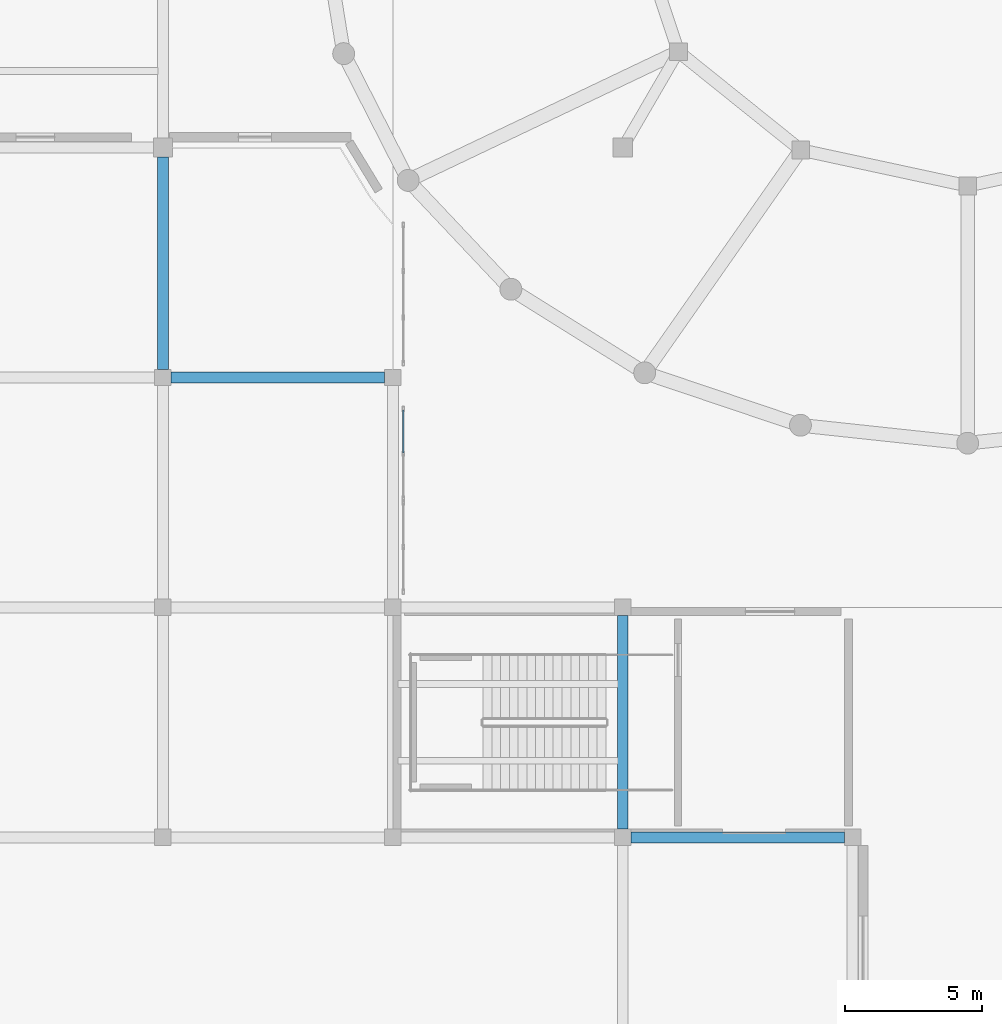
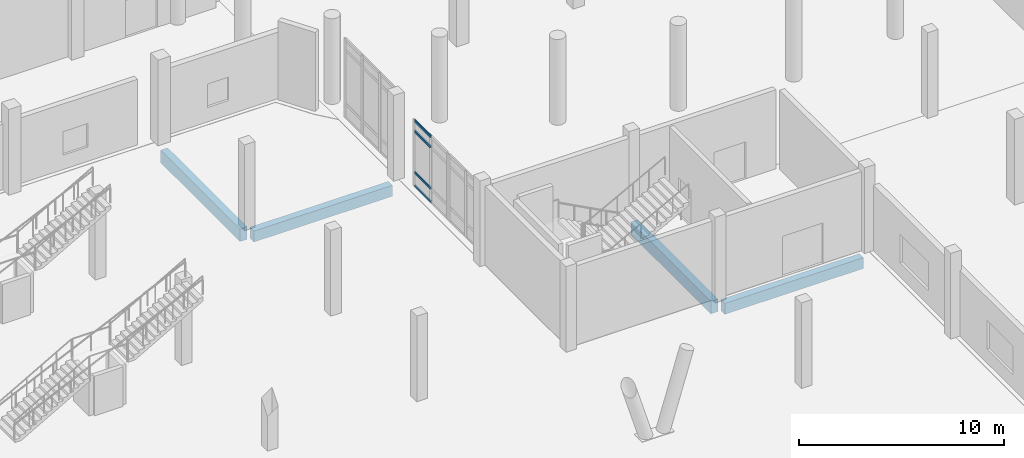
# One storey, part 4 of 64: 4 beams, 4 members, 1 element without a shape of its own.
"""IFC4 building model written with IfcOpenShell, lengths in metres."""

import ifcopenshell
import ifcopenshell.guid

model = None  # the IFC model being written
_history = None  # IfcOwnerHistory: only IFC2X3 demands one
_inside = {}  # id of a spatial element -> (the spatial element, [elements in it])
_under = {}  # id of a project, library or spatial element -> (it, [spatial elements below it])
_declared = {}  # id of a project -> (the project, [libraries it declares])
_typed = {}  # id of a type object -> (the type object, [elements of that type])
_made_of = {}  # id of a material, layer set ... -> (it, [elements and type objects made of it])


def new_model(schema):
    """Start an empty IFC model of exactly this schema.

    Asked for "IFC4X3", IfcOpenShell would pick the latest addendum, in which some entities
    have other attributes; the version numbers below select the first issue.
    IFC2X3 requires an IfcOwnerHistory on every rooted entity: one is made here for all.
    """
    global model, _history
    if schema == "IFC4X3":
        model = ifcopenshell.file(schema_version=(4, 3, 0, 0))
    else:
        model = ifcopenshell.file(schema=schema)
    _inside.clear()
    _under.clear()
    _declared.clear()
    _typed.clear()
    _made_of.clear()
    _history = None
    if model.schema == "IFC2X3":
        org = make("IfcOrganization", Name="unknown")
        user = make(
            "IfcPersonAndOrganization",
            ThePerson=make("IfcPerson", FamilyName="unknown"),
            TheOrganization=org,
        )
        app = make(
            "IfcApplication",
            ApplicationDeveloper=org,
            Version="unknown",
            ApplicationFullName="unknown",
            ApplicationIdentifier="unknown",
        )
        _history = make(
            "IfcOwnerHistory",
            OwningUser=user,
            OwningApplication=app,
            ChangeAction="ADDED",
            CreationDate=0,
        )
    return model


def make(cls, **values):
    """One entity of the class cls with the attributes given. An attribute that is None is left unset."""
    return model.create_entity(
        cls, **{name: value for name, value in values.items() if value is not None}
    )


def rooted(cls, **values):
    """An entity with a GlobalId (a new one), such as an element, a storey or a relation."""
    return make(cls, GlobalId=ifcopenshell.guid.new(), OwnerHistory=_history, **values)


def si_unit(unit_type, name, prefix=None):
    """IfcSIUnit, for example si_unit("LENGTHUNIT", "METRE", prefix="MILLI")."""
    return make("IfcSIUnit", UnitType=unit_type, Prefix=prefix, Name=name)


def derived_unit(unit_type, elements):
    """IfcDerivedUnit: a product of units, each with its exponent."""
    return make(
        "IfcDerivedUnit",
        Elements=[
            make("IfcDerivedUnitElement", Unit=unit, Exponent=power)
            for unit, power in elements
        ],
        UnitType=unit_type,
    )


def assignment(units):
    """IfcUnitAssignment: the units of a project."""
    return None if units is None else make("IfcUnitAssignment", Units=units)


def point(xyz):
    """IfcCartesianPoint."""
    return None if xyz is None else make("IfcCartesianPoint", Coordinates=xyz)


def direction(xyz):
    """IfcDirection."""
    return None if xyz is None else make("IfcDirection", DirectionRatios=xyz)


def frame(location, z_axis=None, x_axis=None):
    """IfcAxis2Placement3D, a coordinate frame: its origin and axes. An axis left out is left unset."""
    return make(
        "IfcAxis2Placement3D",
        Location=point(location),
        Axis=direction(z_axis),
        RefDirection=direction(x_axis),
    )


def frame_2d(location, x_axis=None):
    """IfcAxis2Placement2D, a coordinate frame in the plane: its origin and x axis."""
    return make(
        "IfcAxis2Placement2D", Location=point(location), RefDirection=direction(x_axis)
    )


def origin():
    """The frame at (0, 0, 0) with its axes left unset."""
    return frame((0.0, 0.0, 0.0))


def origin_2d():
    """The frame at (0, 0) in the plane with its x axis left unset."""
    return frame_2d((0.0, 0.0))


def place(relative_to, where):
    """IfcLocalPlacement: puts the frame where relative to a parent placement (None: the world)."""
    return make(
        "IfcLocalPlacement", PlacementRelTo=relative_to, RelativePlacement=where
    )


def context(
    kind, dimensions, precision=None, world=None, true_north=None, identifier=None
):
    """IfcGeometricRepresentationContext, for example the 3D "Model" context."""
    return make(
        "IfcGeometricRepresentationContext",
        ContextIdentifier=identifier,
        ContextType=kind,
        CoordinateSpaceDimension=dimensions,
        Precision=precision,
        WorldCoordinateSystem=world,
        TrueNorth=true_north,
    )


def subcontext(parent, identifier, kind, view, scale=None):
    """IfcGeometricRepresentationSubContext, for example "Body" below "Model"."""
    return make(
        "IfcGeometricRepresentationSubContext",
        ContextIdentifier=identifier,
        ContextType=kind,
        ParentContext=parent,
        TargetScale=scale,
        TargetView=view,
    )


def project(units=None, contexts=None):
    """IfcProject with its units and contexts."""
    return rooted(
        "IfcProject",
        Name="project",
        RepresentationContexts=contexts,
        UnitsInContext=assignment(units),
    )


def spatial(cls, under=None, at=None, **own):
    """A site, building, storey or space (cls), placed at a placement, below another one or the project."""
    s = rooted(cls, ObjectPlacement=at, **own)
    if under is not None:
        _under.setdefault(under.id(), (under, []))[1].append(s)
    return s


def profile(cls, at=None, kind="AREA", **sizes):
    """A parametric profile (cls). Its sizes go by their IFC names, for example OverallWidth=200.0."""
    return make(cls, ProfileType=kind, Position=at, **sizes)


def rectangle(**sizes):
    """IfcRectangleProfileDef."""
    return profile("IfcRectangleProfileDef", **sizes)


def hollow_rectangle(**sizes):
    """IfcRectangleHollowProfileDef."""
    return profile("IfcRectangleHollowProfileDef", **sizes)


def extrude(swept, where, along, depth):
    """IfcExtrudedAreaSolid: the profile swept, set in the frame where, extruded along a direction by depth."""
    return make(
        "IfcExtrudedAreaSolid",
        SweptArea=swept,
        Position=where,
        ExtrudedDirection=direction(along),
        Depth=depth,
    )


def shape(context_of_items, identifier, shape_type, items):
    """IfcShapeRepresentation: the items that make up one representation, for example the "Body"."""
    return make(
        "IfcShapeRepresentation",
        ContextOfItems=context_of_items,
        RepresentationIdentifier=identifier,
        RepresentationType=shape_type,
        Items=items,
    )


def material(Name=None, Category=None):
    """IfcMaterial."""
    return make("IfcMaterial", Name=Name, Category=Category)


def layer(
    of_material, thickness, ventilated=None, Name=None, Category=None, Priority=None
):
    """IfcMaterialLayer: one layer of a wall or slab, of a material (None: an air gap)."""
    return make(
        "IfcMaterialLayer",
        Material=of_material,
        LayerThickness=thickness,
        IsVentilated=ventilated,
        Name=Name,
        Category=Category,
        Priority=Priority,
    )


def layer_set(layers, Name=None):
    """IfcMaterialLayerSet."""
    return make("IfcMaterialLayerSet", MaterialLayers=layers, LayerSetName=Name)


def material_profile(
    of_material, cross_section, Name=None, Category=None, Priority=None
):
    """IfcMaterialProfile: a cross section and its material."""
    return make(
        "IfcMaterialProfile",
        Name=Name,
        Material=of_material,
        Profile=cross_section,
        Priority=Priority,
        Category=Category,
    )


def profile_set(profiles, Name=None, composite=None):
    """IfcMaterialProfileSet."""
    return make(
        "IfcMaterialProfileSet",
        Name=Name,
        MaterialProfiles=profiles,
        CompositeProfile=composite,
    )


def made_of(thing, what):
    """Note that an element or type object is made of a material, layer set ...; save() writes the relation."""
    if what is not None:
        _made_of.setdefault(what.id(), (what, []))[1].append(thing)
    return thing


def type_object(cls, material=None, **own):
    """A type object (cls), such as IfcWallType, which elements share."""
    return made_of(rooted(cls, **own), material)


def element(
    cls,
    number,
    at=None,
    inside=None,
    cuts=None,
    type_object=None,
    material=None,
    context=None,
    identifier="Body",
    shape_type=None,
    held_by="IfcProductDefinitionShape",
    body=None,
    shapes=None,
    **own,
):
    """One element of the class cls, such as IfcWall. Its Tag is "e" and its number.

    at: its placement. inside: the storey or other place that contains it. cuts: it is an
    opening in that element (IfcRelVoidsElement). A single representation is given by context,
    identifier, shape_type and body (its items); several are given by shapes. held_by: the class
    of the entity that holds the representations. save() writes the other relations.
    """
    e = rooted(cls, Tag="e%d" % number, ObjectPlacement=at, **own)
    if body is not None:
        shapes = [shape(context, identifier, shape_type, body)]
    if shapes is not None:
        e.Representation = make(held_by, Representations=shapes)
    if inside is not None:
        _inside.setdefault(inside.id(), (inside, []))[1].append(e)
    if cuts is not None:
        rooted(
            "IfcRelVoidsElement", RelatingBuildingElement=cuts, RelatedOpeningElement=e
        )
    if type_object is not None:
        _typed.setdefault(type_object.id(), (type_object, []))[1].append(e)
    return made_of(e, material)


def aggregate(whole, parts):
    """IfcRelAggregates: a whole, such as a stair, and the parts it consists of."""
    return rooted("IfcRelAggregates", RelatingObject=whole, RelatedObjects=parts)


def save(model, path):
    """Write the relations noted so far, then the file.

    IfcRelAggregates (storeys below a building ...), IfcRelContainedInSpatialStructure (elements
    in a storey), IfcRelDefinesByType, IfcRelAssociatesMaterial and IfcRelDeclares: one each for
    every whole, place, type object, material and project.
    """
    for whole, parts in _under.values():
        aggregate(whole, parts)
    for where, things in _inside.values():
        rooted(
            "IfcRelContainedInSpatialStructure",
            RelatedElements=things,
            RelatingStructure=where,
        )
    for kind, things in _typed.values():
        rooted("IfcRelDefinesByType", RelatedObjects=things, RelatingType=kind)
    for what, things in _made_of.values():
        rooted("IfcRelAssociatesMaterial", RelatedObjects=things, RelatingMaterial=what)
    for by, libraries in _declared.values():
        rooted("IfcRelDeclares", RelatingContext=by, RelatedDefinitions=libraries)
    model.write(path)


model = new_model("IFC4")

# Units and contexts
model_context = context("Model", 3, precision=1e-05, world=origin(), true_north=direction((0.0, 1.0)))
body_context = subcontext(model_context, "Body", "Model", "MODEL_VIEW")
ifc_project = project(units=[si_unit("LENGTHUNIT", "METRE"), si_unit("AREAUNIT", "SQUARE_METRE"), si_unit("VOLUMEUNIT", "CUBIC_METRE"), si_unit("PLANEANGLEUNIT", "RADIAN"), si_unit("MASSUNIT", "GRAM", prefix="KILO"), derived_unit("THERMALTRANSMITTANCEUNIT", [(si_unit("POWERUNIT", "WATT"), 1), (si_unit("LENGTHUNIT", "METRE"), -2), (si_unit("THERMODYNAMICTEMPERATUREUNIT", "KELVIN"), -1)])], contexts=[model_context])

# Site, building, storey
site_placement = place(None, origin())
site = spatial("IfcSite", under=ifc_project, at=site_placement, CompositionType="ELEMENT")
building_placement = place(site_placement, origin())
building = spatial("IfcBuilding", under=site, at=building_placement, Name="Elbkamm Science Centre", CompositionType="ELEMENT")
storey_placement = place(building_placement, origin())
storey = spatial("IfcBuildingStorey", under=building, at=storey_placement, Name="L00", CompositionType="ELEMENT", Elevation=0.0)

# Beams
ifc_material_1 = material(Name="Concrete C40/50", Category="concrete")
ifc_material_profile_1 = material_profile(ifc_material_1, rectangle(XDim=0.39990234375, YDim=0.64990234375, at=origin_2d()), Name="RC 400x650")
ifc_profile_set_1 = profile_set([ifc_material_profile_1], Name="Concrete C40/50")
beam_type_1 = type_object("IfcBeamType", Name="BM-RC-400x650", PredefinedType="BEAM", material=ifc_profile_set_1)
for number, where, z_axis, x_axis, name in (
    (1, (50.699951171875, 33.60009765625, -0.625), (1.0, 0.0, 0.0), (0.0, 1.0, 0.0), "L00 Primary X-Girder 032"),
    (2, (33.89990234375, 50.39990234375, -0.625), (1.0, 0.0, 0.0), (0.0, 1.0, 0.0), "L00 Primary X-Girder 050"),
):
    element("IfcBeam", number, at=place(storey_placement, frame(where, z_axis=z_axis, x_axis=x_axis)), inside=storey, type_object=beam_type_1, Name=name, PredefinedType="BEAM", context=body_context, shape_type="SweptSolid", body=[
        extrude(rectangle(XDim=0.39990234375, YDim=0.64990234375, at=origin_2d()), origin(), (0.0, 0.0, 1.0), 7.800048828125),
    ])
ifc_material_profile_2 = material_profile(ifc_material_1, rectangle(XDim=0.39990234375, YDim=0.75, at=origin_2d()), Name="RC 400x750")
ifc_profile_set_2 = profile_set([ifc_material_profile_2], Name="Concrete C40/50")
beam_type_2 = type_object("IfcBeamType", Name="BM-RC-400x750", PredefinedType="BEAM", material=ifc_profile_set_2)
beam_1_placement = place(storey_placement, frame((33.60009765625, 50.699951171875, -0.675048828125), z_axis=(0.0, 1.0, 0.0), x_axis=(-1.0, 0.0, 0.0)))
element("IfcBeam", 3, at=beam_1_placement, inside=storey, type_object=beam_type_2, Name="L00 Primary Y-Girder 012", PredefinedType="BEAM", context=body_context, shape_type="SweptSolid", body=[
    extrude(rectangle(XDim=0.39990234375, YDim=0.75, at=origin_2d()), origin(), (0.0, 0.0, 1.0), 7.75),
])
beam_2_placement = place(storey_placement, frame((50.39990234375, 33.89990234375, -0.675048828125), z_axis=(0.0, 1.0, 0.0), x_axis=(-1.0, 0.0, 0.0)))
element("IfcBeam", 4, at=beam_2_placement, inside=storey, type_object=beam_type_2, Name="L00 Primary Y-Girder 021", PredefinedType="BEAM", context=body_context, shape_type="SweptSolid", body=[
    extrude(rectangle(XDim=0.39990234375, YDim=0.75, at=origin_2d()), origin(), (0.0, 0.0, 1.0), 7.800048828125),
])

# Curtain wall, members
ifc_material_2 = material(Name="Powder-coated aluminium and triple low-E glazing", Category="aluminium")
ifc_layer = layer(ifc_material_2, 0.159912109375)
ifc_layer_set = layer_set([ifc_layer], Name="Powder-coated aluminium and triple low-E glazing")
curtain_wall_type = type_object("IfcCurtainWallType", Name="CW-UNIT-3320x3960", PredefinedType="USERDEFINED", material=ifc_layer_set)
curtain_wall_placement = place(storey_placement, origin())
curtain_wall = element("IfcCurtainWall", 5, at=curtain_wall_placement, inside=storey, type_object=curtain_wall_type, Name="L00 Unitised Curtain Wall 145", ObjectType="UNITISED CURTAIN WALL", PredefinedType="USERDEFINED")
ifc_material_3 = material(Name="Powder-coated aluminium EN AW-6060", Category="aluminium")
ifc_material_profile_3 = material_profile(ifc_material_3, hollow_rectangle(XDim=0.070068359375, YDim=0.14990234375, WallThickness=0.00390625, at=origin_2d()), Name="ALU T70x150")
ifc_profile_set_3 = profile_set([ifc_material_profile_3], Name="Powder-coated aluminium EN AW-6060")
member_type = type_object("IfcMemberType", Name="CW-TRN-70x150", PredefinedType="USERDEFINED", material=ifc_profile_set_3)
member_1_placement = place(storey_placement, frame((42.3798828125, 47.6494140625, 0.034912109375), z_axis=(0.0, 1.0, 0.0), x_axis=(-1.0, 0.0, 0.0)))
member_1 = element("IfcMember", 6, at=member_1_placement, type_object=member_type, Name="CW-067 transom 2.1", ObjectType="TRANSOM", PredefinedType="USERDEFINED", context=body_context, shape_type="SweptSolid", body=[
    extrude(hollow_rectangle(XDim=0.070068359375, YDim=0.14990234375, WallThickness=0.00390625, at=origin_2d()), origin(), (0.0, 0.0, 1.0), 1.556640625),
])
member_2_placement = place(storey_placement, frame((42.3798828125, 47.6494140625, 0.85009765625), z_axis=(0.0, 1.0, 0.0), x_axis=(-1.0, 0.0, 0.0)))
member_2 = element("IfcMember", 7, at=member_2_placement, type_object=member_type, Name="CW-067 transom 2.2", ObjectType="TRANSOM", PredefinedType="USERDEFINED", context=body_context, shape_type="SweptSolid", body=[
    extrude(hollow_rectangle(XDim=0.070068359375, YDim=0.14990234375, WallThickness=0.00390625, at=origin_2d()), origin(), (0.0, 0.0, 1.0), 1.556640625),
])
member_3_placement = place(storey_placement, frame((42.3798828125, 47.6494140625, 3.300048828125), z_axis=(0.0, 1.0, 0.0), x_axis=(-1.0, 0.0, 0.0)))
member_3 = element("IfcMember", 8, at=member_3_placement, type_object=member_type, Name="CW-067 transom 2.3", ObjectType="TRANSOM", PredefinedType="USERDEFINED", context=body_context, shape_type="SweptSolid", body=[
    extrude(hollow_rectangle(XDim=0.070068359375, YDim=0.14990234375, WallThickness=0.00390625, at=origin_2d()), origin(), (0.0, 0.0, 1.0), 1.556640625),
])
member_4_placement = place(storey_placement, frame((42.3798828125, 47.6494140625, 3.9150390625), z_axis=(0.0, 1.0, 0.0), x_axis=(-1.0, 0.0, 0.0)))
member_4 = element("IfcMember", 9, at=member_4_placement, type_object=member_type, Name="CW-067 transom 2.4", ObjectType="TRANSOM", PredefinedType="USERDEFINED", context=body_context, shape_type="SweptSolid", body=[
    extrude(hollow_rectangle(XDim=0.070068359375, YDim=0.14990234375, WallThickness=0.00390625, at=origin_2d()), origin(), (0.0, 0.0, 1.0), 1.556640625),
])
aggregate(curtain_wall, [member_1, member_2, member_3, member_4])

save(model, "model.ifc")
